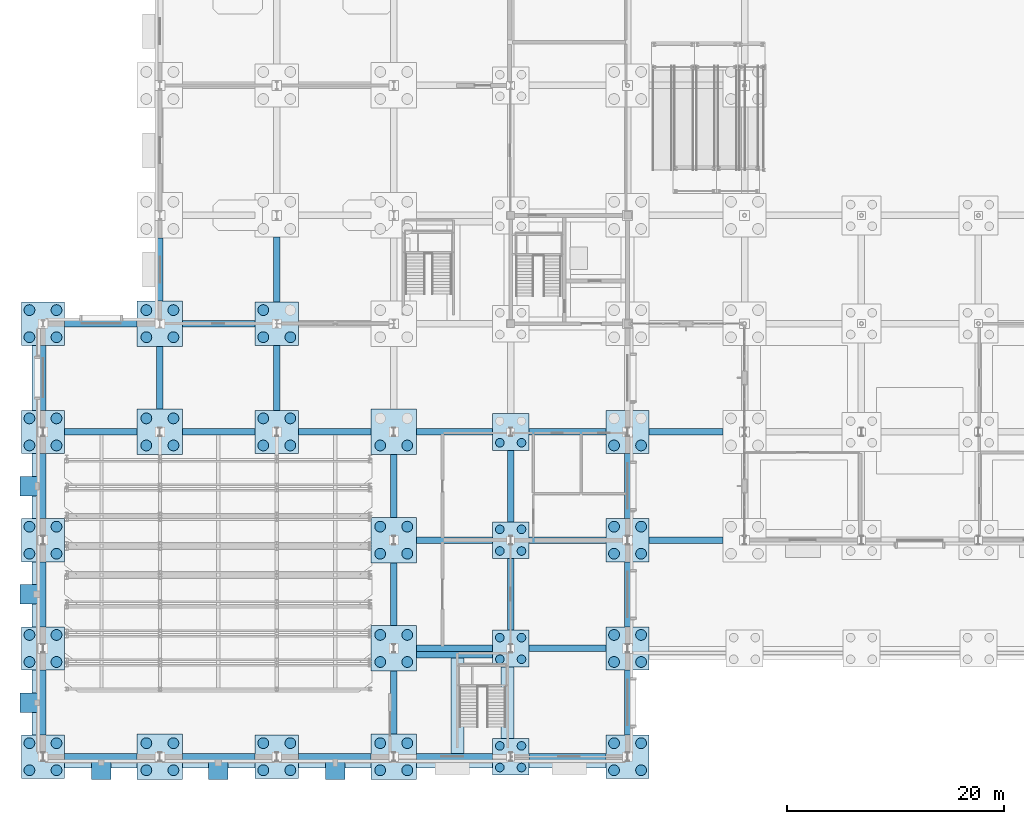
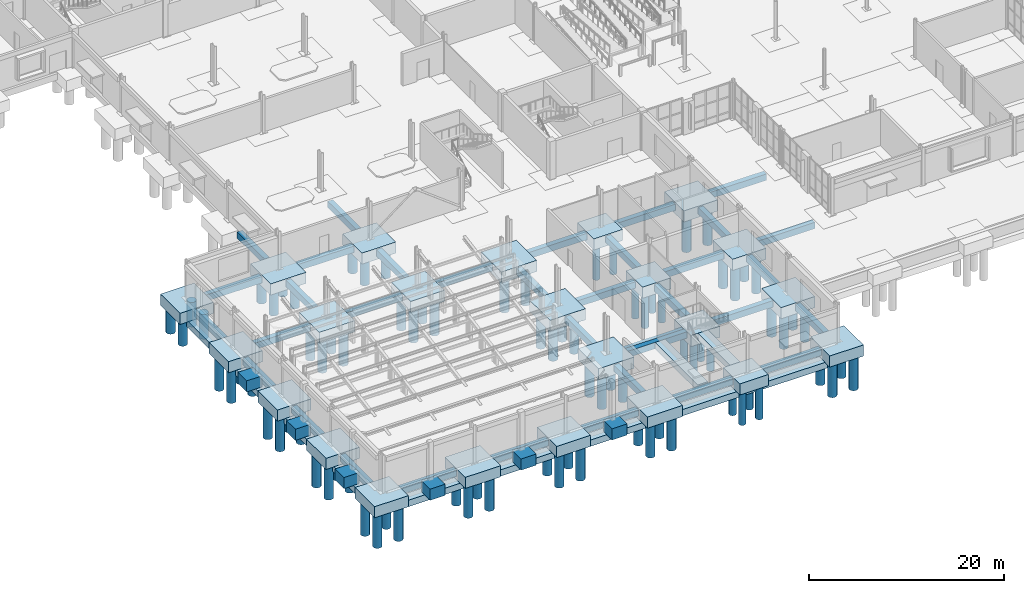
# One storey, part 1 of 73: 85 piles, 68 footings.
"""IFC4 building model written with IfcOpenShell, lengths in metres."""

from ifc_helpers import new_model, si_unit, direction, frame, origin, origin_2d, place, context, subcontext, project, spatial, rectangle, circle, extrude, material, material_profile, profile_set, type_object, element, save


model = new_model("IFC4")

# Units and contexts
model_context = context("Model", 3, precision=1e-05, world=origin(), true_north=direction((0.0, 1.0)))
body_context = subcontext(model_context, "Body", "Model", "MODEL_VIEW")
ifc_project = project(units=[si_unit("LENGTHUNIT", "METRE"), si_unit("AREAUNIT", "SQUARE_METRE"), si_unit("VOLUMEUNIT", "CUBIC_METRE"), si_unit("PLANEANGLEUNIT", "RADIAN"), si_unit("MASSUNIT", "GRAM", prefix="KILO")], contexts=[model_context])

# Site, building, storey
site_placement = place(None, origin())
site = spatial("IfcSite", under=ifc_project, at=site_placement, CompositionType="ELEMENT")
building_placement = place(site_placement, origin())
building = spatial("IfcBuilding", under=site, at=building_placement, Name="Tasgan Crest Museum", CompositionType="ELEMENT")
storey_placement = place(building_placement, origin())
storey = spatial("IfcBuildingStorey", under=building, at=storey_placement, Name="L00", CompositionType="ELEMENT", Elevation=0.0)

# Footings
ifc_material_1 = material(Name="Concrete C35/45", Category="concrete")
footing_type_1 = type_object("IfcFootingType", Name="FT-PAD-2400", PredefinedType="PAD_FOOTING", material=ifc_material_1)
for number, where, z_axis, x_axis, name in (
    (1, (5.39990234375, -1.219970703125, -1.39990234375), (0.0, 0.0, 1.0), (1.0, 0.0, 0.0), "Pilaster pad footing 01"),
    (2, (16.199951171875, -1.219970703125, -1.39990234375), (0.0, 0.0, 1.0), (1.0, 0.0, 0.0), "Pilaster pad footing 02"),
    (3, (27.0, -1.219970703125, -1.39990234375), (0.0, 0.0, 1.0), (1.0, 0.0, 0.0), "Pilaster pad footing 03"),
    (4, (-1.219970703125, 5.0, -1.39990234375), (0.0, 0.0, 1.0), (1.0, 0.0, 0.0), "Pilaster pad footing 04"),
    (5, (-1.219970703125, 15.0, -1.39990234375), (0.0, 0.0, 1.0), (1.0, 0.0, 0.0), "Pilaster pad footing 05"),
    (6, (-1.219970703125, 25.0, -1.39990234375), (0.0, 0.0, 1.0), (1.0, 0.0, 0.0), "Pilaster pad footing 06"),
):
    element("IfcFooting", number, at=place(storey_placement, frame(where, z_axis=z_axis, x_axis=x_axis)), inside=storey, type_object=footing_type_1, Name=name, PredefinedType="PAD_FOOTING", context=body_context, shape_type="SweptSolid", body=[
        extrude(rectangle(XDim=1.800048828125, YDim=1.800048828125, at=origin_2d()), origin(), (0.0, 0.0, 1.0), 1.39990234375),
    ])
ifc_material_2 = material(Name="Concrete C35/45", Category="concrete")
footing_type_2 = type_object("IfcFootingType", Name="FT-PC4-3400", PredefinedType="PILE_CAP", material=ifc_material_2)
for number, where, z_axis, x_axis, name in (
    (7, (43.199951171875, 0.0, -1.39990234375), (0.0, 0.0, 1.0), (1.0, 0.0, 0.0), "Pile cap 5/A"),
    (8, (43.199951171875, 10.0, -1.39990234375), (0.0, 0.0, 1.0), (1.0, 0.0, 0.0), "Pile cap 5/B"),
    (9, (43.199951171875, 20.0, -1.39990234375), (0.0, 0.0, 1.0), (1.0, 0.0, 0.0), "Pile cap 5/C"),
    (10, (43.199951171875, 30.0, -1.39990234375), (0.0, 0.0, 1.0), (1.0, 0.0, 0.0), "Pile cap 5/D"),
):
    element("IfcFooting", number, at=place(storey_placement, frame(where, z_axis=z_axis, x_axis=x_axis)), inside=storey, type_object=footing_type_2, Name=name, PredefinedType="PILE_CAP", context=body_context, shape_type="SweptSolid", body=[
        extrude(rectangle(XDim=3.39990234375, YDim=3.39990234375, at=origin_2d()), origin(), (0.0, 0.0, 1.0), 1.39990234375),
    ])
ifc_material_3 = material(Name="Concrete C35/45", Category="concrete")
footing_type_3 = type_object("IfcFootingType", Name="FT-PC4-4000", PredefinedType="PILE_CAP", material=ifc_material_3)
for number, where, z_axis, x_axis, name in (
    (11, (0.0, 0.0, -1.39990234375), (0.0, 0.0, 1.0), (1.0, 0.0, 0.0), "Pile cap 1/A"),
    (12, (0.0, 10.0, -1.39990234375), (0.0, 0.0, 1.0), (1.0, 0.0, 0.0), "Pile cap 1/B"),
    (13, (0.0, 20.0, -1.39990234375), (0.0, 0.0, 1.0), (1.0, 0.0, 0.0), "Pile cap 1/C"),
    (14, (0.0, 30.0, -1.39990234375), (0.0, 0.0, 1.0), (1.0, 0.0, 0.0), "Pile cap 1/D"),
    (15, (0.0, 40.0, -1.39990234375), (0.0, 0.0, 1.0), (1.0, 0.0, 0.0), "Pile cap 1/E"),
    (16, (21.60009765625, 0.0, -1.39990234375), (0.0, 0.0, 1.0), (1.0, 0.0, 0.0), "Pile cap 3/A"),
    (17, (21.60009765625, 30.0, -1.39990234375), (0.0, 0.0, 1.0), (1.0, 0.0, 0.0), "Pile cap 3/D"),
    (18, (21.60009765625, 40.0, -1.39990234375), (0.0, 0.0, 1.0), (1.0, 0.0, 0.0), "Pile cap 3/E"),
    (19, (54.0, 0.0, -1.39990234375), (0.0, 0.0, 1.0), (1.0, 0.0, 0.0), "Pile cap 6/A"),
    (20, (54.0, 10.0, -1.39990234375), (0.0, 0.0, 1.0), (1.0, 0.0, 0.0), "Pile cap 6/B"),
    (21, (54.0, 20.0, -1.39990234375), (0.0, 0.0, 1.0), (1.0, 0.0, 0.0), "Pile cap 6/C"),
    (22, (54.0, 30.0, -1.39990234375), (0.0, 0.0, 1.0), (1.0, 0.0, 0.0), "Pile cap 6/D"),
):
    element("IfcFooting", number, at=place(storey_placement, frame(where, z_axis=z_axis, x_axis=x_axis)), inside=storey, type_object=footing_type_3, Name=name, PredefinedType="PILE_CAP", context=body_context, shape_type="SweptSolid", body=[
        extrude(rectangle(XDim=4.0, YDim=4.0, at=origin_2d()), origin(), (0.0, 0.0, 1.0), 1.39990234375),
    ])
ifc_material_4 = material(Name="Concrete C35/45", Category="concrete")
footing_type_4 = type_object("IfcFootingType", Name="FT-PC4-4200", PredefinedType="PILE_CAP", material=ifc_material_4)
for number, where, z_axis, x_axis, name in (
    (23, (10.800048828125, 0.0, -1.39990234375), (0.0, 0.0, 1.0), (1.0, 0.0, 0.0), "Pile cap 2/A"),
    (24, (10.800048828125, 30.0, -1.39990234375), (0.0, 0.0, 1.0), (1.0, 0.0, 0.0), "Pile cap 2/D"),
    (25, (10.800048828125, 40.0, -1.39990234375), (0.0, 0.0, 1.0), (1.0, 0.0, 0.0), "Pile cap 2/E"),
    (26, (32.39990234375, 0.0, -1.39990234375), (0.0, 0.0, 1.0), (1.0, 0.0, 0.0), "Pile cap 4/A"),
    (27, (32.39990234375, 10.0, -1.39990234375), (0.0, 0.0, 1.0), (1.0, 0.0, 0.0), "Pile cap 4/B"),
    (28, (32.39990234375, 20.0, -1.39990234375), (0.0, 0.0, 1.0), (1.0, 0.0, 0.0), "Pile cap 4/C"),
    (29, (32.39990234375, 30.0, -1.39990234375), (0.0, 0.0, 1.0), (1.0, 0.0, 0.0), "Pile cap 4/D"),
):
    element("IfcFooting", number, at=place(storey_placement, frame(where, z_axis=z_axis, x_axis=x_axis)), inside=storey, type_object=footing_type_4, Name=name, PredefinedType="PILE_CAP", context=body_context, shape_type="SweptSolid", body=[
        extrude(rectangle(XDim=4.199951171875, YDim=4.199951171875, at=origin_2d()), origin(), (0.0, 0.0, 1.0), 1.39990234375),
    ])
ifc_material_5 = material(Name="Concrete C35/45", Category="concrete")
ifc_material_profile_1 = material_profile(ifc_material_5, rectangle(XDim=1.199951171875, YDim=0.800048828125, at=origin_2d()), Name="SF 1200x800")
ifc_profile_set_1 = profile_set([ifc_material_profile_1], Name="Concrete C35/45")
footing_type_5 = type_object("IfcFootingType", Name="FT-SF-1200X800", PredefinedType="STRIP_FOOTING", material=ifc_profile_set_1)
footing_1_placement = place(storey_placement, frame((0.199951171875, -0.429931640625, -1.780029296875), z_axis=(1.0, 0.0, 0.0), x_axis=(0.0, 1.0, 0.0)))
element("IfcFooting", 30, at=footing_1_placement, inside=storey, type_object=footing_type_5, Name="Hillside plinth footing S-AUD", PredefinedType="STRIP_FOOTING", context=body_context, shape_type="SweptSolid", body=[
    extrude(rectangle(XDim=1.199951171875, YDim=0.800048828125, at=origin_2d()), origin(), (0.0, 0.0, 1.0), 53.60009765625),
])
footing_2_placement = place(storey_placement, frame((-0.429931640625, 0.449951171875, -1.780029296875), z_axis=(0.0, 1.0, 0.0), x_axis=(-1.0, 0.0, 0.0)))
element("IfcFooting", 31, at=footing_2_placement, inside=storey, type_object=footing_type_5, Name="Hillside plinth footing W-AUD", PredefinedType="STRIP_FOOTING", context=body_context, shape_type="SweptSolid", body=[
    extrude(rectangle(XDim=1.199951171875, YDim=0.800048828125, at=origin_2d()), origin(), (0.0, 0.0, 1.0), 39.10009765625),
])
footing_3_placement = place(storey_placement, frame((38.280029296875, 0.300048828125, -0.39990234375), z_axis=(0.0, 1.0, 0.0), x_axis=(-1.0, 0.0, 0.0)))
element("IfcFooting", 32, at=footing_3_placement, inside=storey, type_object=footing_type_5, Name="FOYS west footing", PredefinedType="STRIP_FOOTING", context=body_context, shape_type="SweptSolid", body=[
    extrude(rectangle(XDim=1.199951171875, YDim=0.800048828125, at=origin_2d()), origin(), (0.0, 0.0, 1.0), 8.800048828125),
])
footing_4_placement = place(storey_placement, frame((42.919921875, 1.699951171875, -0.39990234375), z_axis=(0.0, 1.0, 0.0), x_axis=(-1.0, 0.0, 0.0)))
element("IfcFooting", 33, at=footing_4_placement, inside=storey, type_object=footing_type_5, Name="FOYS east footing", PredefinedType="STRIP_FOOTING", context=body_context, shape_type="SweptSolid", body=[
    extrude(rectangle(XDim=1.199951171875, YDim=0.800048828125, at=origin_2d()), origin(), (0.0, 0.0, 1.0), 6.60009765625),
])
ifc_material_6 = material(Name="Concrete C35/45", Category="concrete")
ifc_material_profile_2 = material_profile(ifc_material_6, rectangle(XDim=0.60009765625, YDim=0.800048828125, at=origin_2d()), Name="TB 600x800")
ifc_profile_set_2 = profile_set([ifc_material_profile_2], Name="Concrete C35/45")
footing_type_6 = type_object("IfcFootingType", Name="FT-TB-600X800", PredefinedType="FOOTING_BEAM", material=ifc_profile_set_2)
footing_5_placement = place(storey_placement, frame((2.0, 0.0, -0.550048828125), z_axis=(1.0, 0.0, 0.0), x_axis=(0.0, 1.0, 0.0)))
element("IfcFooting", 34, at=footing_5_placement, inside=storey, type_object=footing_type_6, Name="Ground tie beam A 0.0-10.8", PredefinedType="FOOTING_BEAM", context=body_context, shape_type="SweptSolid", body=[
    extrude(rectangle(XDim=0.60009765625, YDim=0.800048828125, at=origin_2d()), origin(), (0.0, 0.0, 1.0), 6.699951171875),
])
footing_6_placement = place(storey_placement, frame((12.89990234375, 0.0, -0.550048828125), z_axis=(1.0, 0.0, 0.0), x_axis=(0.0, 1.0, 0.0)))
element("IfcFooting", 35, at=footing_6_placement, inside=storey, type_object=footing_type_6, Name="Ground tie beam A 10.8-21.6", PredefinedType="FOOTING_BEAM", context=body_context, shape_type="SweptSolid", body=[
    extrude(rectangle(XDim=0.60009765625, YDim=0.800048828125, at=origin_2d()), origin(), (0.0, 0.0, 1.0), 6.7001953125),
])
footing_7_placement = place(storey_placement, frame((23.60009765625, 0.0, -0.550048828125), z_axis=(1.0, 0.0, 0.0), x_axis=(0.0, 1.0, 0.0)))
element("IfcFooting", 36, at=footing_7_placement, inside=storey, type_object=footing_type_6, Name="Ground tie beam A 21.6-32.4", PredefinedType="FOOTING_BEAM", context=body_context, shape_type="SweptSolid", body=[
    extrude(rectangle(XDim=0.60009765625, YDim=0.800048828125, at=origin_2d()), origin(), (0.0, 0.0, 1.0), 6.699951171875),
])
footing_8_placement = place(storey_placement, frame((34.5, 0.0, -0.550048828125), z_axis=(1.0, 0.0, 0.0), x_axis=(0.0, 1.0, 0.0)))
element("IfcFooting", 37, at=footing_8_placement, inside=storey, type_object=footing_type_6, Name="Ground tie beam A 32.4-43.2", PredefinedType="FOOTING_BEAM", context=body_context, shape_type="SweptSolid", body=[
    extrude(rectangle(XDim=0.60009765625, YDim=0.800048828125, at=origin_2d()), origin(), (0.0, 0.0, 1.0), 7.0),
])
footing_9_placement = place(storey_placement, frame((44.89990234375, 0.0, -0.550048828125), z_axis=(1.0, 0.0, 0.0), x_axis=(0.0, 1.0, 0.0)))
element("IfcFooting", 38, at=footing_9_placement, inside=storey, type_object=footing_type_6, Name="Ground tie beam A 43.2-54.0", PredefinedType="FOOTING_BEAM", context=body_context, shape_type="SweptSolid", body=[
    extrude(rectangle(XDim=0.60009765625, YDim=0.800048828125, at=origin_2d()), origin(), (0.0, 0.0, 1.0), 7.10009765625),
])
footing_10_placement = place(storey_placement, frame((34.5, 10.0, -0.550048828125), z_axis=(1.0, 0.0, 0.0), x_axis=(0.0, 1.0, 0.0)))
element("IfcFooting", 39, at=footing_10_placement, inside=storey, type_object=footing_type_6, Name="Ground tie beam B 32.4-43.2", PredefinedType="FOOTING_BEAM", context=body_context, shape_type="SweptSolid", body=[
    extrude(rectangle(XDim=0.60009765625, YDim=0.800048828125, at=origin_2d()), origin(), (0.0, 0.0, 1.0), 7.0),
])
footing_11_placement = place(storey_placement, frame((44.89990234375, 10.0, -0.550048828125), z_axis=(1.0, 0.0, 0.0), x_axis=(0.0, 1.0, 0.0)))
element("IfcFooting", 40, at=footing_11_placement, inside=storey, type_object=footing_type_6, Name="Ground tie beam B 43.2-54.0", PredefinedType="FOOTING_BEAM", context=body_context, shape_type="SweptSolid", body=[
    extrude(rectangle(XDim=0.60009765625, YDim=0.800048828125, at=origin_2d()), origin(), (0.0, 0.0, 1.0), 7.10009765625),
])
footing_12_placement = place(storey_placement, frame((34.5, 20.0, -0.550048828125), z_axis=(1.0, 0.0, 0.0), x_axis=(0.0, 1.0, 0.0)))
element("IfcFooting", 41, at=footing_12_placement, inside=storey, type_object=footing_type_6, Name="Ground tie beam C 32.4-43.2", PredefinedType="FOOTING_BEAM", context=body_context, shape_type="SweptSolid", body=[
    extrude(rectangle(XDim=0.60009765625, YDim=0.800048828125, at=origin_2d()), origin(), (0.0, 0.0, 1.0), 7.0),
])
footing_13_placement = place(storey_placement, frame((44.89990234375, 20.0, -0.550048828125), z_axis=(1.0, 0.0, 0.0), x_axis=(0.0, 1.0, 0.0)))
element("IfcFooting", 42, at=footing_13_placement, inside=storey, type_object=footing_type_6, Name="Ground tie beam C 43.2-54.0", PredefinedType="FOOTING_BEAM", context=body_context, shape_type="SweptSolid", body=[
    extrude(rectangle(XDim=0.60009765625, YDim=0.800048828125, at=origin_2d()), origin(), (0.0, 0.0, 1.0), 7.10009765625),
])
footing_14_placement = place(storey_placement, frame((56.0, 20.0, -0.550048828125), z_axis=(1.0, 0.0, 0.0), x_axis=(0.0, 1.0, 0.0)))
element("IfcFooting", 43, at=footing_14_placement, inside=storey, type_object=footing_type_6, Name="Ground tie beam C 54.0-64.8", PredefinedType="FOOTING_BEAM", context=body_context, shape_type="SweptSolid", body=[
    extrude(rectangle(XDim=0.60009765625, YDim=0.800048828125, at=origin_2d()), origin(), (0.0, 0.0, 1.0), 6.800048828125),
])
footing_15_placement = place(storey_placement, frame((2.0, 30.0, -0.550048828125), z_axis=(1.0, 0.0, 0.0), x_axis=(0.0, 1.0, 0.0)))
element("IfcFooting", 44, at=footing_15_placement, inside=storey, type_object=footing_type_6, Name="Ground tie beam D 0.0-10.8", PredefinedType="FOOTING_BEAM", context=body_context, shape_type="SweptSolid", body=[
    extrude(rectangle(XDim=0.60009765625, YDim=0.800048828125, at=origin_2d()), origin(), (0.0, 0.0, 1.0), 6.699951171875),
])
footing_16_placement = place(storey_placement, frame((12.89990234375, 30.0, -0.550048828125), z_axis=(1.0, 0.0, 0.0), x_axis=(0.0, 1.0, 0.0)))
element("IfcFooting", 45, at=footing_16_placement, inside=storey, type_object=footing_type_6, Name="Ground tie beam D 10.8-21.6", PredefinedType="FOOTING_BEAM", context=body_context, shape_type="SweptSolid", body=[
    extrude(rectangle(XDim=0.60009765625, YDim=0.800048828125, at=origin_2d()), origin(), (0.0, 0.0, 1.0), 6.7001953125),
])
footing_17_placement = place(storey_placement, frame((23.60009765625, 30.0, -0.550048828125), z_axis=(1.0, 0.0, 0.0), x_axis=(0.0, 1.0, 0.0)))
element("IfcFooting", 46, at=footing_17_placement, inside=storey, type_object=footing_type_6, Name="Ground tie beam D 21.6-32.4", PredefinedType="FOOTING_BEAM", context=body_context, shape_type="SweptSolid", body=[
    extrude(rectangle(XDim=0.60009765625, YDim=0.800048828125, at=origin_2d()), origin(), (0.0, 0.0, 1.0), 6.699951171875),
])
footing_18_placement = place(storey_placement, frame((34.5, 30.0, -0.550048828125), z_axis=(1.0, 0.0, 0.0), x_axis=(0.0, 1.0, 0.0)))
element("IfcFooting", 47, at=footing_18_placement, inside=storey, type_object=footing_type_6, Name="Ground tie beam D 32.4-43.2", PredefinedType="FOOTING_BEAM", context=body_context, shape_type="SweptSolid", body=[
    extrude(rectangle(XDim=0.60009765625, YDim=0.800048828125, at=origin_2d()), origin(), (0.0, 0.0, 1.0), 7.0),
])
footing_19_placement = place(storey_placement, frame((44.89990234375, 30.0, -0.550048828125), z_axis=(1.0, 0.0, 0.0), x_axis=(0.0, 1.0, 0.0)))
element("IfcFooting", 48, at=footing_19_placement, inside=storey, type_object=footing_type_6, Name="Ground tie beam D 43.2-54.0", PredefinedType="FOOTING_BEAM", context=body_context, shape_type="SweptSolid", body=[
    extrude(rectangle(XDim=0.60009765625, YDim=0.800048828125, at=origin_2d()), origin(), (0.0, 0.0, 1.0), 7.10009765625),
])
footing_20_placement = place(storey_placement, frame((56.0, 30.0, -0.550048828125), z_axis=(1.0, 0.0, 0.0), x_axis=(0.0, 1.0, 0.0)))
element("IfcFooting", 49, at=footing_20_placement, inside=storey, type_object=footing_type_6, Name="Ground tie beam D 54.0-64.8", PredefinedType="FOOTING_BEAM", context=body_context, shape_type="SweptSolid", body=[
    extrude(rectangle(XDim=0.60009765625, YDim=0.800048828125, at=origin_2d()), origin(), (0.0, 0.0, 1.0), 6.800048828125),
])
footing_21_placement = place(storey_placement, frame((2.0, 40.0, -0.550048828125), z_axis=(1.0, 0.0, 0.0), x_axis=(0.0, 1.0, 0.0)))
element("IfcFooting", 50, at=footing_21_placement, inside=storey, type_object=footing_type_6, Name="Ground tie beam E 0.0-10.8", PredefinedType="FOOTING_BEAM", context=body_context, shape_type="SweptSolid", body=[
    extrude(rectangle(XDim=0.60009765625, YDim=0.800048828125, at=origin_2d()), origin(), (0.0, 0.0, 1.0), 6.699951171875),
])
footing_22_placement = place(storey_placement, frame((12.89990234375, 40.0, -0.550048828125), z_axis=(1.0, 0.0, 0.0), x_axis=(0.0, 1.0, 0.0)))
element("IfcFooting", 51, at=footing_22_placement, inside=storey, type_object=footing_type_6, Name="Ground tie beam E 10.8-21.6", PredefinedType="FOOTING_BEAM", context=body_context, shape_type="SweptSolid", body=[
    extrude(rectangle(XDim=0.60009765625, YDim=0.800048828125, at=origin_2d()), origin(), (0.0, 0.0, 1.0), 6.7001953125),
])
for number, where, z_axis, x_axis, name in (
    (52, (0.0, 2.0, -0.550048828125), (0.0, 1.0, 0.0), (-1.0, 0.0, 0.0), "Ground tie beam 1 0.0-10.0"),
    (53, (0.0, 12.0, -0.550048828125), (0.0, 1.0, 0.0), (-1.0, 0.0, 0.0), "Ground tie beam 1 10.0-20.0"),
    (54, (0.0, 22.0, -0.550048828125), (0.0, 1.0, 0.0), (-1.0, 0.0, 0.0), "Ground tie beam 1 20.0-30.0"),
    (55, (0.0, 32.0, -0.550048828125), (0.0, 1.0, 0.0), (-1.0, 0.0, 0.0), "Ground tie beam 1 30.0-40.0"),
):
    element("IfcFooting", number, at=place(storey_placement, frame(where, z_axis=z_axis, x_axis=x_axis)), inside=storey, type_object=footing_type_6, Name=name, PredefinedType="FOOTING_BEAM", context=body_context, shape_type="SweptSolid", body=[
        extrude(rectangle(XDim=0.60009765625, YDim=0.800048828125, at=origin_2d()), origin(), (0.0, 0.0, 1.0), 6.0),
    ])
for number, where, z_axis, x_axis, name in (
    (56, (10.800048828125, 32.10009765625, -0.550048828125), (0.0, 1.0, 0.0), (-1.0, 0.0, 0.0), "Ground tie beam 2 30.0-40.0"),
    (57, (10.800048828125, 42.10009765625, -0.550048828125), (0.0, 1.0, 0.0), (-1.0, 0.0, 0.0), "Ground tie beam 2 40.0-50.0"),
):
    element("IfcFooting", number, at=place(storey_placement, frame(where, z_axis=z_axis, x_axis=x_axis)), inside=storey, type_object=footing_type_6, Name=name, PredefinedType="FOOTING_BEAM", context=body_context, shape_type="SweptSolid", body=[
        extrude(rectangle(XDim=0.60009765625, YDim=0.800048828125, at=origin_2d()), origin(), (0.0, 0.0, 1.0), 5.7998046875),
    ])
for number, where, z_axis, x_axis, name in (
    (58, (21.60009765625, 32.0, -0.550048828125), (0.0, 1.0, 0.0), (-1.0, 0.0, 0.0), "Ground tie beam 3 30.0-40.0"),
    (59, (21.60009765625, 42.0, -0.550048828125), (0.0, 1.0, 0.0), (-1.0, 0.0, 0.0), "Ground tie beam 3 40.0-50.0"),
):
    element("IfcFooting", number, at=place(storey_placement, frame(where, z_axis=z_axis, x_axis=x_axis)), inside=storey, type_object=footing_type_6, Name=name, PredefinedType="FOOTING_BEAM", context=body_context, shape_type="SweptSolid", body=[
        extrude(rectangle(XDim=0.60009765625, YDim=0.800048828125, at=origin_2d()), origin(), (0.0, 0.0, 1.0), 6.0),
    ])
for number, where, z_axis, x_axis, name in (
    (60, (32.39990234375, 2.10009765625, -0.550048828125), (0.0, 1.0, 0.0), (-1.0, 0.0, 0.0), "Ground tie beam 4 0.0-10.0"),
    (61, (32.39990234375, 12.10009765625, -0.550048828125), (0.0, 1.0, 0.0), (-1.0, 0.0, 0.0), "Ground tie beam 4 10.0-20.0"),
    (62, (32.39990234375, 22.10009765625, -0.550048828125), (0.0, 1.0, 0.0), (-1.0, 0.0, 0.0), "Ground tie beam 4 20.0-30.0"),
):
    element("IfcFooting", number, at=place(storey_placement, frame(where, z_axis=z_axis, x_axis=x_axis)), inside=storey, type_object=footing_type_6, Name=name, PredefinedType="FOOTING_BEAM", context=body_context, shape_type="SweptSolid", body=[
        extrude(rectangle(XDim=0.60009765625, YDim=0.800048828125, at=origin_2d()), origin(), (0.0, 0.0, 1.0), 5.7998046875),
    ])
for number, where, z_axis, x_axis, name in (
    (63, (43.199951171875, 11.699951171875, -0.550048828125), (0.0, 1.0, 0.0), (-1.0, 0.0, 0.0), "Ground tie beam 5 10.0-20.0"),
    (64, (43.199951171875, 21.699951171875, -0.550048828125), (0.0, 1.0, 0.0), (-1.0, 0.0, 0.0), "Ground tie beam 5 20.0-30.0"),
):
    element("IfcFooting", number, at=place(storey_placement, frame(where, z_axis=z_axis, x_axis=x_axis)), inside=storey, type_object=footing_type_6, Name=name, PredefinedType="FOOTING_BEAM", context=body_context, shape_type="SweptSolid", body=[
        extrude(rectangle(XDim=0.60009765625, YDim=0.800048828125, at=origin_2d()), origin(), (0.0, 0.0, 1.0), 6.60009765625),
    ])
for number, where, z_axis, x_axis, name in (
    (65, (54.0, 2.0, -0.550048828125), (0.0, 1.0, 0.0), (-1.0, 0.0, 0.0), "Ground tie beam 6 0.0-10.0"),
    (66, (54.0, 12.0, -0.550048828125), (0.0, 1.0, 0.0), (-1.0, 0.0, 0.0), "Ground tie beam 6 10.0-20.0"),
    (67, (54.0, 22.0, -0.550048828125), (0.0, 1.0, 0.0), (-1.0, 0.0, 0.0), "Ground tie beam 6 20.0-30.0"),
):
    element("IfcFooting", number, at=place(storey_placement, frame(where, z_axis=z_axis, x_axis=x_axis)), inside=storey, type_object=footing_type_6, Name=name, PredefinedType="FOOTING_BEAM", context=body_context, shape_type="SweptSolid", body=[
        extrude(rectangle(XDim=0.60009765625, YDim=0.800048828125, at=origin_2d()), origin(), (0.0, 0.0, 1.0), 6.0),
    ])
footing_23_placement = place(storey_placement, frame((34.5, 9.39990234375, -0.39990234375), z_axis=(1.0, 0.0, 0.0), x_axis=(0.0, 1.0, 0.0)))
element("IfcFooting", 68, at=footing_23_placement, inside=storey, type_object=footing_type_6, Name="FOYS north footing", PredefinedType="FOOTING_BEAM", context=body_context, shape_type="SweptSolid", body=[
    extrude(rectangle(XDim=0.60009765625, YDim=0.800048828125, at=origin_2d()), origin(), (0.0, 0.0, 1.0), 7.0),
])

# Piles
ifc_material_7 = material(Name="Concrete C35/45", Category="concrete")
ifc_material_profile_3 = material_profile(ifc_material_7, circle(Radius=0.5, at=origin_2d()), Name="PILE D1000")
ifc_profile_set_3 = profile_set([ifc_material_profile_3], Name="Concrete C35/45")
pile_type_1 = type_object("IfcPileType", Name="PILE-B1000", PredefinedType="BORED", material=ifc_profile_set_3)
for number, where, z_axis, x_axis, name in (
    (69, (-1.25, -1.25, -1.39990234375), (0.0, 0.0, -1.0), (1.0, 0.0, 0.0), "Bored pile 1/A-P1"),
    (70, (1.25, -1.25, -1.39990234375), (0.0, 0.0, -1.0), (1.0, 0.0, 0.0), "Bored pile 1/A-P2"),
    (71, (-1.25, 1.25, -1.39990234375), (0.0, 0.0, -1.0), (1.0, 0.0, 0.0), "Bored pile 1/A-P3"),
    (72, (1.25, 1.25, -1.39990234375), (0.0, 0.0, -1.0), (1.0, 0.0, 0.0), "Bored pile 1/A-P4"),
    (73, (-1.25, 8.75, -1.39990234375), (0.0, 0.0, -1.0), (1.0, 0.0, 0.0), "Bored pile 1/B-P1"),
    (74, (1.25, 8.75, -1.39990234375), (0.0, 0.0, -1.0), (1.0, 0.0, 0.0), "Bored pile 1/B-P2"),
    (75, (-1.25, 11.25, -1.39990234375), (0.0, 0.0, -1.0), (1.0, 0.0, 0.0), "Bored pile 1/B-P3"),
    (76, (1.25, 11.25, -1.39990234375), (0.0, 0.0, -1.0), (1.0, 0.0, 0.0), "Bored pile 1/B-P4"),
    (77, (-1.25, 18.75, -1.39990234375), (0.0, 0.0, -1.0), (1.0, 0.0, 0.0), "Bored pile 1/C-P1"),
    (78, (1.25, 18.75, -1.39990234375), (0.0, 0.0, -1.0), (1.0, 0.0, 0.0), "Bored pile 1/C-P2"),
    (79, (-1.25, 21.25, -1.39990234375), (0.0, 0.0, -1.0), (1.0, 0.0, 0.0), "Bored pile 1/C-P3"),
    (80, (1.25, 21.25, -1.39990234375), (0.0, 0.0, -1.0), (1.0, 0.0, 0.0), "Bored pile 1/C-P4"),
    (81, (-1.25, 28.75, -1.39990234375), (0.0, 0.0, -1.0), (1.0, 0.0, 0.0), "Bored pile 1/D-P1"),
    (82, (1.25, 28.75, -1.39990234375), (0.0, 0.0, -1.0), (1.0, 0.0, 0.0), "Bored pile 1/D-P2"),
    (83, (-1.25, 31.25, -1.39990234375), (0.0, 0.0, -1.0), (1.0, 0.0, 0.0), "Bored pile 1/D-P3"),
    (84, (1.25, 31.25, -1.39990234375), (0.0, 0.0, -1.0), (1.0, 0.0, 0.0), "Bored pile 1/D-P4"),
):
    element("IfcPile", number, at=place(storey_placement, frame(where, z_axis=z_axis, x_axis=x_axis)), inside=storey, type_object=pile_type_1, Name=name, PredefinedType="BORED", context=body_context, shape_type="SweptSolid", body=[
        extrude(circle(Radius=0.5, at=origin_2d()), origin(), (0.0, 0.0, 1.0), 4.199951171875),
    ])
for number, where, z_axis, x_axis, name in (
    (85, (-1.25, 38.75, -1.39990234375), (0.0, 0.0, -1.0), (1.0, 0.0, 0.0), "Bored pile 1/E-P1"),
    (86, (1.25, 38.75, -1.39990234375), (0.0, 0.0, -1.0), (1.0, 0.0, 0.0), "Bored pile 1/E-P2"),
    (87, (-1.25, 41.25, -1.39990234375), (0.0, 0.0, -1.0), (1.0, 0.0, 0.0), "Bored pile 1/E-P3"),
    (88, (1.25, 41.25, -1.39990234375), (0.0, 0.0, -1.0), (1.0, 0.0, 0.0), "Bored pile 1/E-P4"),
):
    element("IfcPile", number, at=place(storey_placement, frame(where, z_axis=z_axis, x_axis=x_axis)), inside=storey, type_object=pile_type_1, Name=name, PredefinedType="BORED", context=body_context, shape_type="SweptSolid", body=[
        extrude(circle(Radius=0.5, at=origin_2d()), origin(), (0.0, 0.0, 1.0), 3.10009765625),
    ])
for number, where, z_axis, x_axis, name in (
    (89, (9.550048828125, -1.25, -1.39990234375), (0.0, 0.0, -1.0), (1.0, 0.0, 0.0), "Bored pile 2/A-P1"),
    (90, (12.050048828125, -1.25, -1.39990234375), (0.0, 0.0, -1.0), (1.0, 0.0, 0.0), "Bored pile 2/A-P2"),
    (91, (9.550048828125, 1.25, -1.39990234375), (0.0, 0.0, -1.0), (1.0, 0.0, 0.0), "Bored pile 2/A-P3"),
    (92, (12.050048828125, 1.25, -1.39990234375), (0.0, 0.0, -1.0), (1.0, 0.0, 0.0), "Bored pile 2/A-P4"),
    (93, (9.550048828125, 28.75, -1.39990234375), (0.0, 0.0, -1.0), (1.0, 0.0, 0.0), "Bored pile 2/D-P1"),
    (94, (12.050048828125, 28.75, -1.39990234375), (0.0, 0.0, -1.0), (1.0, 0.0, 0.0), "Bored pile 2/D-P2"),
    (95, (9.550048828125, 31.25, -1.39990234375), (0.0, 0.0, -1.0), (1.0, 0.0, 0.0), "Bored pile 2/D-P3"),
    (96, (12.050048828125, 31.25, -1.39990234375), (0.0, 0.0, -1.0), (1.0, 0.0, 0.0), "Bored pile 2/D-P4"),
):
    element("IfcPile", number, at=place(storey_placement, frame(where, z_axis=z_axis, x_axis=x_axis)), inside=storey, type_object=pile_type_1, Name=name, PredefinedType="BORED", context=body_context, shape_type="SweptSolid", body=[
        extrude(circle(Radius=0.5, at=origin_2d()), origin(), (0.0, 0.0, 1.0), 4.199951171875),
    ])
for number, where, z_axis, x_axis, name in (
    (97, (9.550048828125, 38.75, -1.39990234375), (0.0, 0.0, -1.0), (1.0, 0.0, 0.0), "Bored pile 2/E-P1"),
    (98, (12.050048828125, 38.75, -1.39990234375), (0.0, 0.0, -1.0), (1.0, 0.0, 0.0), "Bored pile 2/E-P2"),
    (99, (9.550048828125, 41.25, -1.39990234375), (0.0, 0.0, -1.0), (1.0, 0.0, 0.0), "Bored pile 2/E-P3"),
    (100, (12.050048828125, 41.25, -1.39990234375), (0.0, 0.0, -1.0), (1.0, 0.0, 0.0), "Bored pile 2/E-P4"),
):
    element("IfcPile", number, at=place(storey_placement, frame(where, z_axis=z_axis, x_axis=x_axis)), inside=storey, type_object=pile_type_1, Name=name, PredefinedType="BORED", context=body_context, shape_type="SweptSolid", body=[
        extrude(circle(Radius=0.5, at=origin_2d()), origin(), (0.0, 0.0, 1.0), 3.10009765625),
    ])
for number, where, z_axis, x_axis, name in (
    (101, (20.35009765625, -1.25, -1.39990234375), (0.0, 0.0, -1.0), (1.0, 0.0, 0.0), "Bored pile 3/A-P1"),
    (102, (22.85009765625, -1.25, -1.39990234375), (0.0, 0.0, -1.0), (1.0, 0.0, 0.0), "Bored pile 3/A-P2"),
    (103, (20.35009765625, 1.25, -1.39990234375), (0.0, 0.0, -1.0), (1.0, 0.0, 0.0), "Bored pile 3/A-P3"),
    (104, (22.85009765625, 1.25, -1.39990234375), (0.0, 0.0, -1.0), (1.0, 0.0, 0.0), "Bored pile 3/A-P4"),
    (105, (20.35009765625, 28.75, -1.39990234375), (0.0, 0.0, -1.0), (1.0, 0.0, 0.0), "Bored pile 3/D-P1"),
    (106, (22.85009765625, 28.75, -1.39990234375), (0.0, 0.0, -1.0), (1.0, 0.0, 0.0), "Bored pile 3/D-P2"),
    (107, (20.35009765625, 31.25, -1.39990234375), (0.0, 0.0, -1.0), (1.0, 0.0, 0.0), "Bored pile 3/D-P3"),
    (108, (22.85009765625, 31.25, -1.39990234375), (0.0, 0.0, -1.0), (1.0, 0.0, 0.0), "Bored pile 3/D-P4"),
):
    element("IfcPile", number, at=place(storey_placement, frame(where, z_axis=z_axis, x_axis=x_axis)), inside=storey, type_object=pile_type_1, Name=name, PredefinedType="BORED", context=body_context, shape_type="SweptSolid", body=[
        extrude(circle(Radius=0.5, at=origin_2d()), origin(), (0.0, 0.0, 1.0), 4.199951171875),
    ])
for number, where, z_axis, x_axis, name in (
    (109, (20.35009765625, 38.75, -1.39990234375), (0.0, 0.0, -1.0), (1.0, 0.0, 0.0), "Bored pile 3/E-P1"),
    (110, (22.85009765625, 38.75, -1.39990234375), (0.0, 0.0, -1.0), (1.0, 0.0, 0.0), "Bored pile 3/E-P2"),
    (111, (20.35009765625, 41.25, -1.39990234375), (0.0, 0.0, -1.0), (1.0, 0.0, 0.0), "Bored pile 3/E-P3"),
):
    element("IfcPile", number, at=place(storey_placement, frame(where, z_axis=z_axis, x_axis=x_axis)), inside=storey, type_object=pile_type_1, Name=name, PredefinedType="BORED", context=body_context, shape_type="SweptSolid", body=[
        extrude(circle(Radius=0.5, at=origin_2d()), origin(), (0.0, 0.0, 1.0), 3.10009765625),
    ])
for number, where, z_axis, x_axis, name in (
    (112, (31.14990234375, -1.25, -1.39990234375), (0.0, 0.0, -1.0), (1.0, 0.0, 0.0), "Bored pile 4/A-P1"),
    (113, (33.64990234375, -1.25, -1.39990234375), (0.0, 0.0, -1.0), (1.0, 0.0, 0.0), "Bored pile 4/A-P2"),
    (114, (31.14990234375, 1.25, -1.39990234375), (0.0, 0.0, -1.0), (1.0, 0.0, 0.0), "Bored pile 4/A-P3"),
    (115, (33.64990234375, 1.25, -1.39990234375), (0.0, 0.0, -1.0), (1.0, 0.0, 0.0), "Bored pile 4/A-P4"),
    (116, (31.14990234375, 8.75, -1.39990234375), (0.0, 0.0, -1.0), (1.0, 0.0, 0.0), "Bored pile 4/B-P1"),
    (117, (33.64990234375, 8.75, -1.39990234375), (0.0, 0.0, -1.0), (1.0, 0.0, 0.0), "Bored pile 4/B-P2"),
    (118, (31.14990234375, 11.25, -1.39990234375), (0.0, 0.0, -1.0), (1.0, 0.0, 0.0), "Bored pile 4/B-P3"),
    (119, (33.64990234375, 11.25, -1.39990234375), (0.0, 0.0, -1.0), (1.0, 0.0, 0.0), "Bored pile 4/B-P4"),
    (120, (31.14990234375, 18.75, -1.39990234375), (0.0, 0.0, -1.0), (1.0, 0.0, 0.0), "Bored pile 4/C-P1"),
    (121, (33.64990234375, 18.75, -1.39990234375), (0.0, 0.0, -1.0), (1.0, 0.0, 0.0), "Bored pile 4/C-P2"),
    (122, (31.14990234375, 21.25, -1.39990234375), (0.0, 0.0, -1.0), (1.0, 0.0, 0.0), "Bored pile 4/C-P3"),
    (123, (33.64990234375, 21.25, -1.39990234375), (0.0, 0.0, -1.0), (1.0, 0.0, 0.0), "Bored pile 4/C-P4"),
    (124, (31.14990234375, 28.75, -1.39990234375), (0.0, 0.0, -1.0), (1.0, 0.0, 0.0), "Bored pile 4/D-P1"),
    (125, (33.64990234375, 28.75, -1.39990234375), (0.0, 0.0, -1.0), (1.0, 0.0, 0.0), "Bored pile 4/D-P2"),
    (126, (52.75, -1.25, -1.39990234375), (0.0, 0.0, -1.0), (1.0, 0.0, 0.0), "Bored pile 6/A-P1"),
    (127, (55.25, -1.25, -1.39990234375), (0.0, 0.0, -1.0), (1.0, 0.0, 0.0), "Bored pile 6/A-P2"),
    (128, (52.75, 1.25, -1.39990234375), (0.0, 0.0, -1.0), (1.0, 0.0, 0.0), "Bored pile 6/A-P3"),
    (129, (55.25, 1.25, -1.39990234375), (0.0, 0.0, -1.0), (1.0, 0.0, 0.0), "Bored pile 6/A-P4"),
    (130, (52.75, 8.75, -1.39990234375), (0.0, 0.0, -1.0), (1.0, 0.0, 0.0), "Bored pile 6/B-P1"),
    (131, (55.25, 8.75, -1.39990234375), (0.0, 0.0, -1.0), (1.0, 0.0, 0.0), "Bored pile 6/B-P2"),
    (132, (52.75, 11.25, -1.39990234375), (0.0, 0.0, -1.0), (1.0, 0.0, 0.0), "Bored pile 6/B-P3"),
    (133, (55.25, 11.25, -1.39990234375), (0.0, 0.0, -1.0), (1.0, 0.0, 0.0), "Bored pile 6/B-P4"),
    (134, (52.75, 18.75, -1.39990234375), (0.0, 0.0, -1.0), (1.0, 0.0, 0.0), "Bored pile 6/C-P1"),
    (135, (55.25, 18.75, -1.39990234375), (0.0, 0.0, -1.0), (1.0, 0.0, 0.0), "Bored pile 6/C-P2"),
    (136, (52.75, 21.25, -1.39990234375), (0.0, 0.0, -1.0), (1.0, 0.0, 0.0), "Bored pile 6/C-P3"),
    (137, (55.25, 21.25, -1.39990234375), (0.0, 0.0, -1.0), (1.0, 0.0, 0.0), "Bored pile 6/C-P4"),
    (138, (52.75, 28.75, -1.39990234375), (0.0, 0.0, -1.0), (1.0, 0.0, 0.0), "Bored pile 6/D-P1"),
    (139, (55.25, 28.75, -1.39990234375), (0.0, 0.0, -1.0), (1.0, 0.0, 0.0), "Bored pile 6/D-P2"),
):
    element("IfcPile", number, at=place(storey_placement, frame(where, z_axis=z_axis, x_axis=x_axis)), inside=storey, type_object=pile_type_1, Name=name, PredefinedType="BORED", context=body_context, shape_type="SweptSolid", body=[
        extrude(circle(Radius=0.5, at=origin_2d()), origin(), (0.0, 0.0, 1.0), 4.199951171875),
    ])
ifc_material_8 = material(Name="Concrete C35/45", Category="concrete")
ifc_material_profile_4 = material_profile(ifc_material_8, circle(Radius=0.39990234375, at=origin_2d()), Name="PILE D800")
ifc_profile_set_4 = profile_set([ifc_material_profile_4], Name="Concrete C35/45")
pile_type_2 = type_object("IfcPileType", Name="PILE-B800", PredefinedType="BORED", material=ifc_profile_set_4)
for number, where, z_axis, x_axis, name in (
    (140, (42.199951171875, -1.0, -1.39990234375), (0.0, 0.0, -1.0), (1.0, 0.0, 0.0), "Bored pile 5/A-P1"),
    (141, (44.199951171875, -1.0, -1.39990234375), (0.0, 0.0, -1.0), (1.0, 0.0, 0.0), "Bored pile 5/A-P2"),
    (142, (42.199951171875, 1.0, -1.39990234375), (0.0, 0.0, -1.0), (1.0, 0.0, 0.0), "Bored pile 5/A-P3"),
    (143, (44.199951171875, 1.0, -1.39990234375), (0.0, 0.0, -1.0), (1.0, 0.0, 0.0), "Bored pile 5/A-P4"),
    (144, (42.199951171875, 9.0, -1.39990234375), (0.0, 0.0, -1.0), (1.0, 0.0, 0.0), "Bored pile 5/B-P1"),
    (145, (44.199951171875, 9.0, -1.39990234375), (0.0, 0.0, -1.0), (1.0, 0.0, 0.0), "Bored pile 5/B-P2"),
    (146, (42.199951171875, 11.0, -1.39990234375), (0.0, 0.0, -1.0), (1.0, 0.0, 0.0), "Bored pile 5/B-P3"),
    (147, (44.199951171875, 11.0, -1.39990234375), (0.0, 0.0, -1.0), (1.0, 0.0, 0.0), "Bored pile 5/B-P4"),
    (148, (42.199951171875, 19.0, -1.39990234375), (0.0, 0.0, -1.0), (1.0, 0.0, 0.0), "Bored pile 5/C-P1"),
    (149, (44.199951171875, 19.0, -1.39990234375), (0.0, 0.0, -1.0), (1.0, 0.0, 0.0), "Bored pile 5/C-P2"),
    (150, (42.199951171875, 21.0, -1.39990234375), (0.0, 0.0, -1.0), (1.0, 0.0, 0.0), "Bored pile 5/C-P3"),
    (151, (44.199951171875, 21.0, -1.39990234375), (0.0, 0.0, -1.0), (1.0, 0.0, 0.0), "Bored pile 5/C-P4"),
    (152, (42.199951171875, 29.0, -1.39990234375), (0.0, 0.0, -1.0), (1.0, 0.0, 0.0), "Bored pile 5/D-P1"),
    (153, (44.199951171875, 29.0, -1.39990234375), (0.0, 0.0, -1.0), (1.0, 0.0, 0.0), "Bored pile 5/D-P2"),
):
    element("IfcPile", number, at=place(storey_placement, frame(where, z_axis=z_axis, x_axis=x_axis)), inside=storey, type_object=pile_type_2, Name=name, PredefinedType="BORED", context=body_context, shape_type="SweptSolid", body=[
        extrude(circle(Radius=0.39990234375, at=origin_2d()), origin(), (0.0, 0.0, 1.0), 4.199951171875),
    ])

save(model, "model.ifc")
